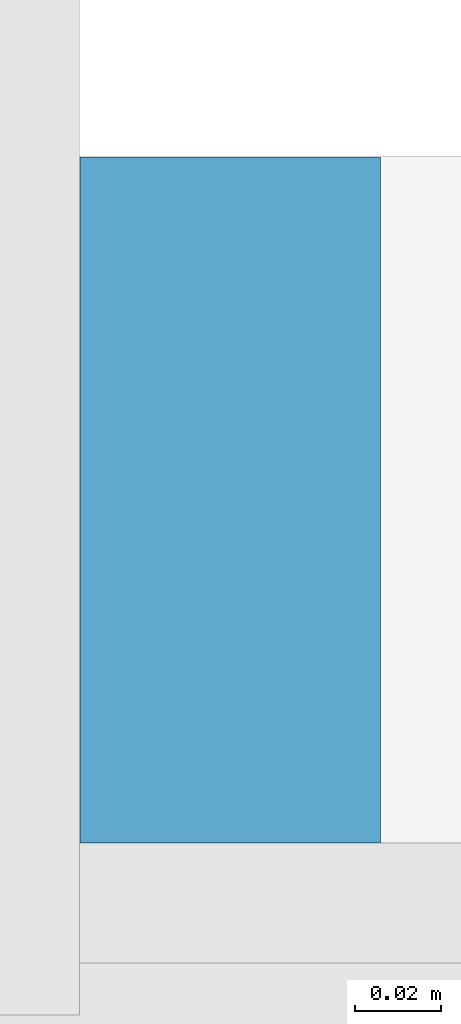
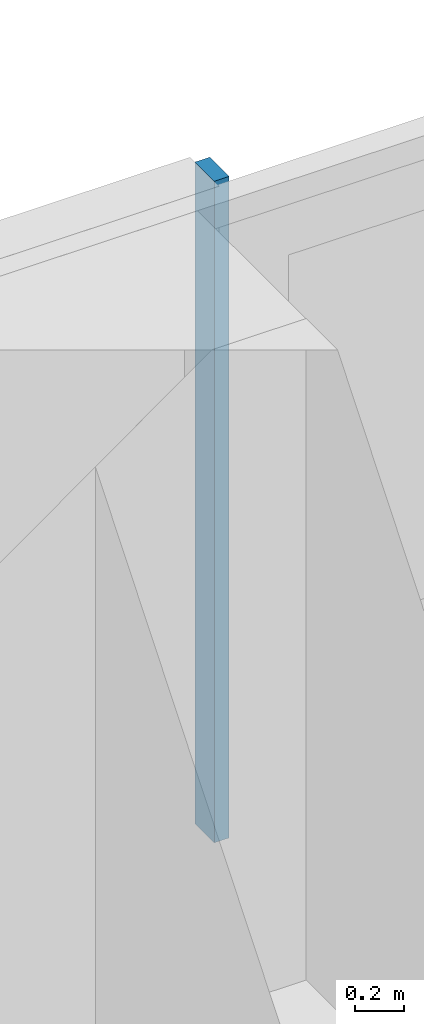
# One storey, part 10 of 27: 1 member, 1 element without a shape of its own.
"""IFC4 building model written with IfcOpenShell, lengths in metres."""

from ifc_helpers import new_model, si_unit, direction, frame, origin, origin_2d, place, context, subcontext, project, spatial, rectangle, extrude, material, material_profile, profile_set, type_object, element, aggregate, save


model = new_model("IFC4")

# Units and contexts
model_context = context("Model", 3, precision=1e-05, world=origin(), true_north=direction((0.0, 1.0)))
body_context = subcontext(model_context, "Body", "Model", "MODEL_VIEW")
ifc_project = project(units=[si_unit("LENGTHUNIT", "METRE"), si_unit("AREAUNIT", "SQUARE_METRE"), si_unit("VOLUMEUNIT", "CUBIC_METRE"), si_unit("PLANEANGLEUNIT", "RADIAN"), si_unit("MASSUNIT", "GRAM", prefix="KILO")], contexts=[model_context])

# Site, building, storey
site_placement = place(None, origin())
site = spatial("IfcSite", under=ifc_project, at=site_placement, CompositionType="ELEMENT")
building_placement = place(site_placement, origin())
building = spatial("IfcBuilding", under=site, at=building_placement, Name="Saffron Gate Tower", CompositionType="ELEMENT")
storey_placement = place(building_placement, frame((0.0, 0.0, 124.050048828125)))
storey = spatial("IfcBuildingStorey", under=building, at=storey_placement, Name="L29", CompositionType="ELEMENT", Elevation=124.050048828125)

# Curtain wall, member
ifc_material = material(Name="Aluminium, bronze anodised", Category="aluminium")
curtain_wall_type = type_object("IfcCurtainWallType", Name="CWS3 curtain wall rear facade", PredefinedType="NOTDEFINED", material=ifc_material)
curtain_wall_placement = place(storey_placement, origin())
curtain_wall = element("IfcCurtainWall", 1, at=curtain_wall_placement, inside=storey, type_object=curtain_wall_type, Name="CWS3 run 7", PredefinedType="NOTDEFINED")
ifc_material_profile = material_profile(ifc_material, rectangle(XDim=0.159912109375, YDim=0.070068359375, at=origin_2d()))
ifc_profile_set = profile_set([ifc_material_profile], Name="Aluminium, bronze anodised")
member_type = type_object("IfcMemberType", Name="CWS3 mullion 70x160", PredefinedType="MULLION", material=ifc_profile_set)
member_placement = place(storey_placement, frame((108.60009765625, 75.52001953125, 0.0), z_axis=(0.0, 0.0, 1.0), x_axis=(0.0, -1.0, 0.0)))
member = element("IfcMember", 2, at=member_placement, type_object=member_type, Name="CWS3 mullion 3", PredefinedType="MULLION", context=body_context, shape_type="SweptSolid", body=[
    extrude(rectangle(XDim=0.159912109375, YDim=0.070068359375, at=origin_2d()), origin(), (0.0, 0.0, 1.0), 3.320068359375),
])
aggregate(curtain_wall, [member])

save(model, "model.ifc")
